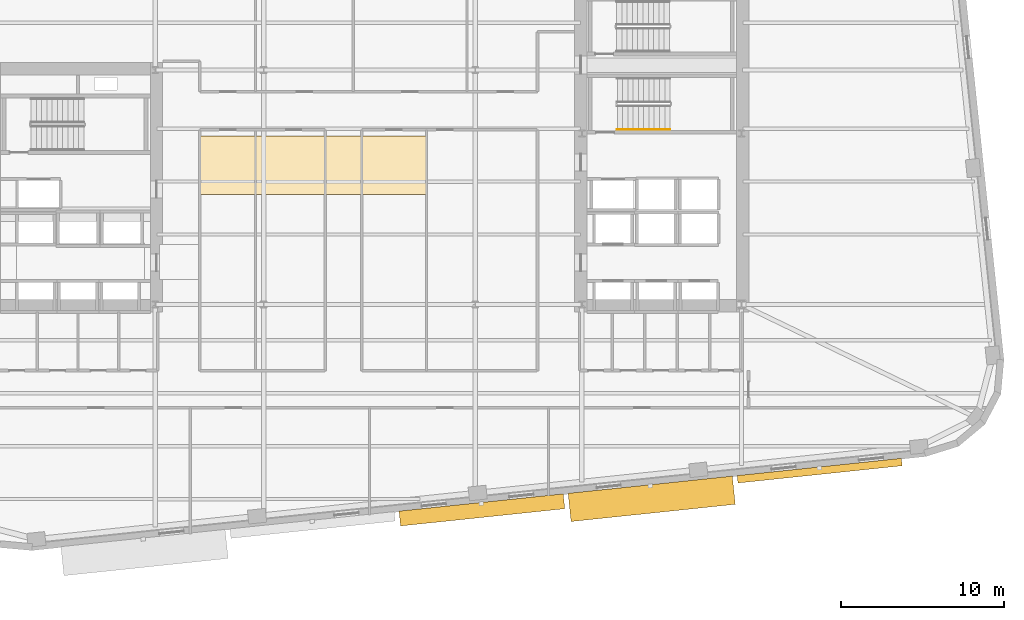
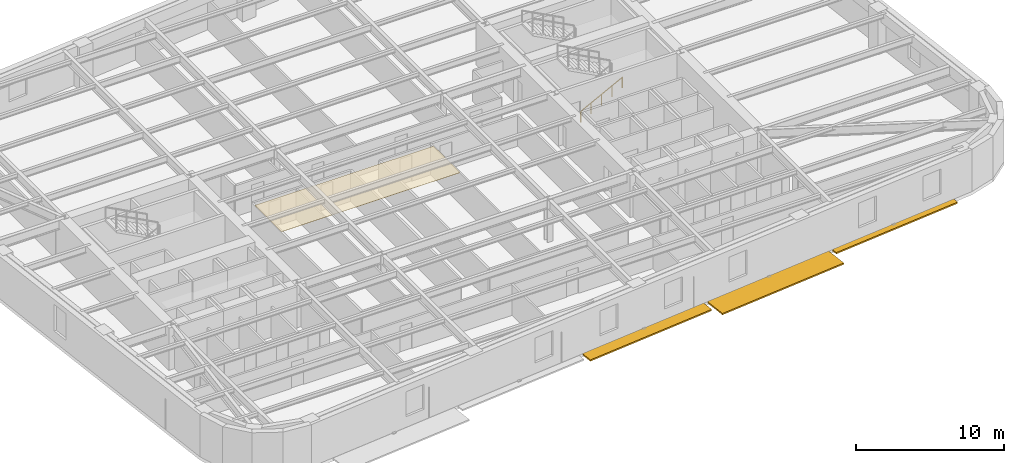
# One storey, part 10 of 13: 3 shading devices, 1 covering, 1 railing.
"""IFC4 building model written with IfcOpenShell, lengths in metres."""

from ifc_helpers import new_model, si_unit, direction, frame, origin, origin_2d, place, context, subcontext, project, spatial, polyline, rectangle, circle, outline, extrude, material, layer, layer_set, type_object, element, save


model = new_model("IFC4")

# Units and contexts
model_context = context("Model", 3, precision=1e-05, world=origin(), true_north=direction((0.0, 1.0)))
body_context = subcontext(model_context, "Body", "Model", "MODEL_VIEW")
ifc_project = project(units=[si_unit("LENGTHUNIT", "METRE"), si_unit("AREAUNIT", "SQUARE_METRE"), si_unit("VOLUMEUNIT", "CUBIC_METRE"), si_unit("PLANEANGLEUNIT", "RADIAN"), si_unit("MASSUNIT", "GRAM", prefix="KILO")], contexts=[model_context])

# Site, building, storey
site_placement = place(None, origin())
site = spatial("IfcSite", under=ifc_project, at=site_placement, CompositionType="ELEMENT")
building_placement = place(site_placement, origin())
building = spatial("IfcBuilding", under=site, at=building_placement, Name="Kolvaren Arena Tower", CompositionType="ELEMENT")
storey_placement = place(building_placement, frame((0.0, 0.0, 114.699951171875)))
storey = spatial("IfcBuildingStorey", under=building, at=storey_placement, Name="L26", CompositionType="ELEMENT", Elevation=114.699951171875)

# Covering
ifc_material_1 = material(Name="Mineral fibre acoustic ceiling tile", Category="gypsum")
ifc_layer = layer(ifc_material_1, 0.02490234375)
ifc_layer_set = layer_set([ifc_layer], Name="Mineral fibre acoustic ceiling tile")
covering_type = type_object("IfcCoveringType", Name="CEIL-ACT-1", PredefinedType="CEILING", material=ifc_layer_set)
covering_placement = place(storey_placement, frame((0.0, 0.0, 2.52001953125)))
element("IfcCovering", 1, at=covering_placement, inside=storey, type_object=covering_type, Name="Suspended Ceiling (L26)", PredefinedType="CEILING", context=body_context, shape_type="SweptSolid", body=[
    extrude(outline(polyline([(27.050048828125, 26.199951171875), (27.050048828125, 29.800048828125), (41.0, 29.800048828125), (41.0, 26.199951171875), (27.050048828125, 26.199951171875)])), origin(), (0.0, 0.0, 1.0), 0.025146484375),
])

# Railing
ifc_material_2 = material(Name="Brushed stainless steel handrail", Category="steel")
railing_type = type_object("IfcRailingType", Name="HRAIL-900", PredefinedType="HANDRAIL", material=ifc_material_2)
railing_placement = place(storey_placement, frame((52.719970703125, 30.199951171875, 0.17041015625)))
element("IfcRailing", 2, at=railing_placement, inside=storey, type_object=railing_type, Name="L26 ST-E1 stair handrail 1", PredefinedType="HANDRAIL", context=body_context, shape_type="SweptSolid", body=[
    extrude(circle(Radius=0.02392578125, at=origin_2d()), frame((0.0, 0.0, 0.8759765625), z_axis=(0.884993431791, 0.0, 0.465603506952), x_axis=(0.0, 1.0, 0.0)), (0.0, 0.0, 1.0), 3.6611328125),
    extrude(circle(Radius=0.02099609375, at=origin_2d()), origin(), (0.0, 0.0, 1.0), 0.851806640625),
    extrude(circle(Radius=0.02099609375, at=origin_2d()), frame((0.81005859375, 0.0, 0.42626953125)), (0.0, 0.0, 1.0), 0.851806640625),
    extrude(circle(Radius=0.02099609375, at=origin_2d()), frame((1.6201171875, 0.0, 0.852294921875)), (0.0, 0.0, 1.0), 0.851806640625),
    extrude(circle(Radius=0.02099609375, at=origin_2d()), frame((2.429931640625, 0.0, 1.2783203125)), (0.0, 0.0, 1.0), 0.851806640625),
    extrude(circle(Radius=0.02099609375, at=origin_2d()), frame((3.239990234375, 0.0, 1.70458984375)), (0.0, 0.0, 1.0), 0.851806640625),
])

# Shading devices
ifc_material_3 = material(Name="Architectural precast GFRC and anodised aluminium sunshade", Category="concrete")
shading_device_type_1 = type_object("IfcShadingDeviceType", Name="SHAD-SINE-A", PredefinedType="USERDEFINED", material=ifc_material_3)
shading_device_1_placement = place(storey_placement, frame((65.148193359375, 9.2451171875, -0.139892578125), z_axis=(0.0, 0.0, 1.0), x_axis=(-0.994522077803, -0.104526727499, 0.0)))
element("IfcShadingDevice", 3, at=shading_device_1_placement, inside=storey, type_object=shading_device_type_1, Name="Sinusoidal Slab-Edge Sunshade Louvre (L26)", ObjectType="LOUVRE", PredefinedType="USERDEFINED", context=body_context, shape_type="SweptSolid", body=[
    extrude(rectangle(XDim=10.139892578125, YDim=0.461181640625, at=origin_2d()), origin(), (0.0, 0.0, 1.0), 0.1201171875),
])
shading_device_2_placement = place(storey_placement, frame((44.406494140625, 6.834716796875, -0.139892578125), z_axis=(0.0, 0.0, 1.0), x_axis=(-0.994522077803, -0.104526727499, 0.0)))
element("IfcShadingDevice", 4, at=shading_device_2_placement, inside=storey, type_object=shading_device_type_1, Name="Sinusoidal Slab-Edge Sunshade Louvre (L26)", ObjectType="LOUVRE", PredefinedType="USERDEFINED", context=body_context, shape_type="SweptSolid", body=[
    extrude(rectangle(XDim=10.139892578125, YDim=0.919677734375, at=origin_2d()), origin(), (0.0, 0.0, 1.0), 0.1201171875),
])
shading_device_type_2 = type_object("IfcShadingDeviceType", Name="SHAD-SINE-B", PredefinedType="JALOUSIE", material=ifc_material_3)
shading_device_3_placement = place(storey_placement, frame((54.83251953125, 7.51611328125, -0.139892578125), z_axis=(0.0, 0.0, 1.0), x_axis=(-0.994522077803, -0.104526727499, 0.0)))
element("IfcShadingDevice", 5, at=shading_device_3_placement, inside=storey, type_object=shading_device_type_2, Name="Sinusoidal Slab-Edge Sunshade Louvre (L26)", PredefinedType="JALOUSIE", context=body_context, shape_type="SweptSolid", body=[
    extrude(rectangle(XDim=10.139892578125, YDim=1.74365234375, at=origin_2d()), origin(), (0.0, 0.0, 1.0), 0.1201171875),
])

save(model, "model.ifc")
